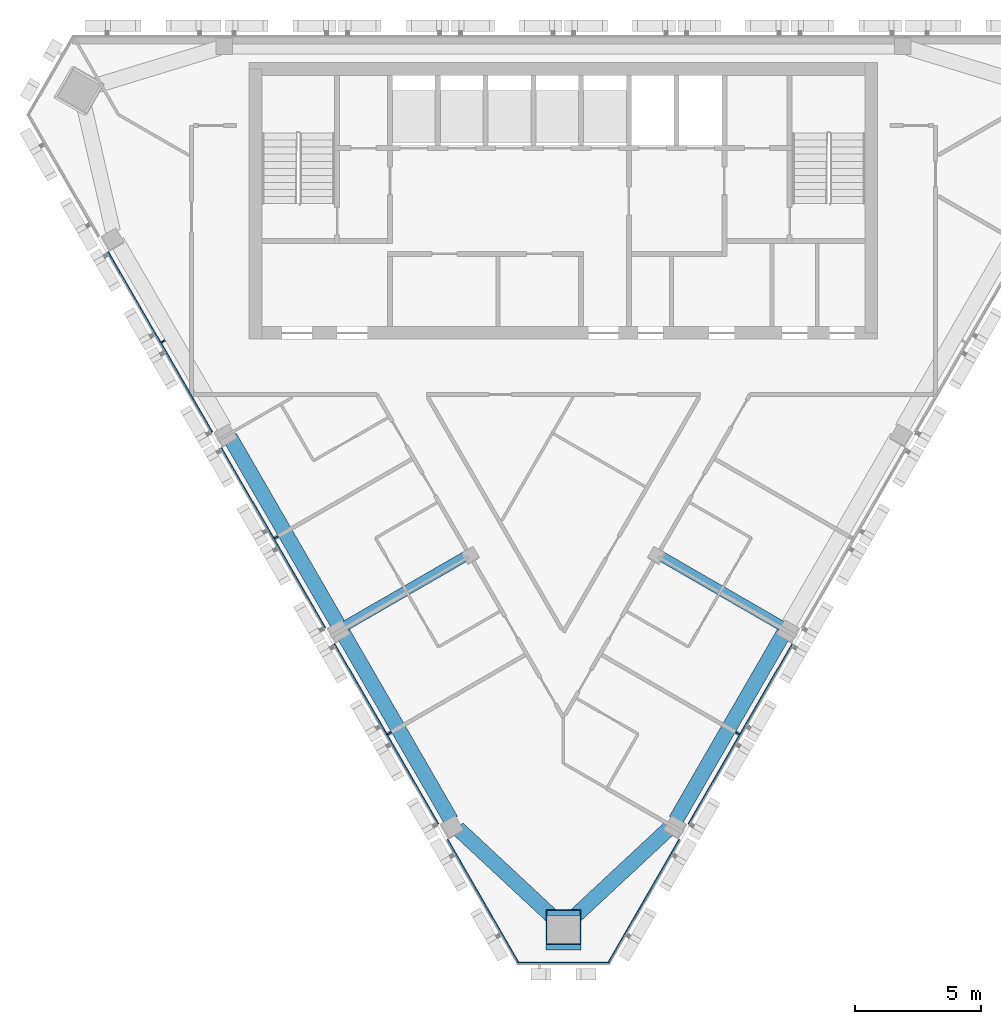
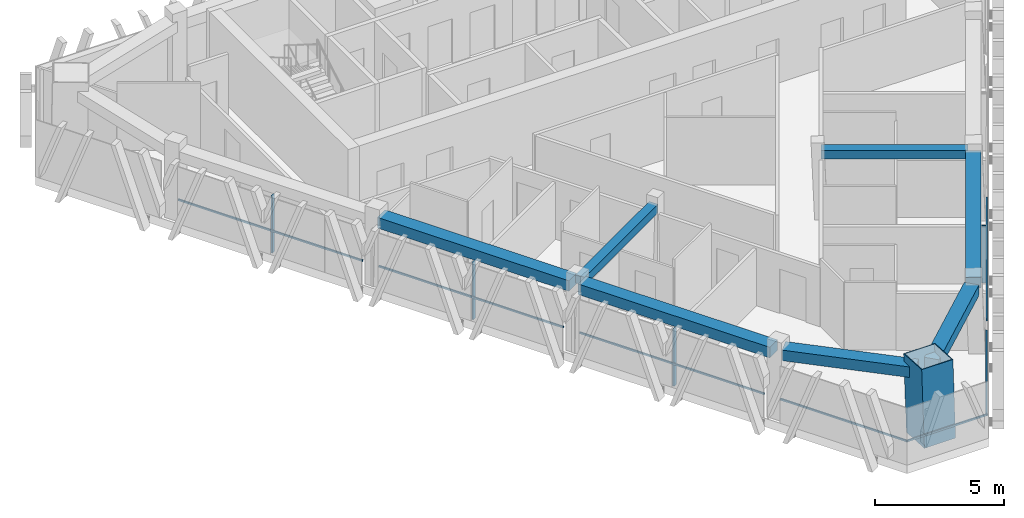
# One storey, part 2 of 12: 12 members, 7 beams, 3 elements without a shape of their own.
"""IFC4 building model written with IfcOpenShell, lengths in metres."""

from ifc_helpers import new_model, si_unit, direction, frame, origin, origin_2d, place, context, subcontext, project, spatial, rectangle, hollow_rectangle, extrude, material, layer, layer_set, material_profile, profile_set, type_object, element, aggregate, save


model = new_model("IFC4")

# Units and contexts
model_context = context("Model", 3, precision=1e-05, world=origin(), true_north=direction((0.0, 1.0)))
body_context = subcontext(model_context, "Body", "Model", "MODEL_VIEW")
ifc_project = project(units=[si_unit("LENGTHUNIT", "METRE"), si_unit("AREAUNIT", "SQUARE_METRE"), si_unit("VOLUMEUNIT", "CUBIC_METRE"), si_unit("PLANEANGLEUNIT", "RADIAN"), si_unit("MASSUNIT", "GRAM", prefix="KILO")], contexts=[model_context])

# Site, building, storey
site_placement = place(None, origin())
site = spatial("IfcSite", under=ifc_project, at=site_placement, CompositionType="ELEMENT")
building_placement = place(site_placement, origin())
building = spatial("IfcBuilding", under=site, at=building_placement, Name="Altiplano Prism Tower", CompositionType="ELEMENT")
storey_placement = place(building_placement, frame((0.0, 0.0, 323.800048828125)))
storey = spatial("IfcBuildingStorey", under=building, at=storey_placement, Name="L84", CompositionType="ELEMENT", Elevation=323.800048828125)

# Curtain wall, members
ifc_material_1 = material(Name="Aluminium and glass", Category="aluminium")
ifc_layer = layer(ifc_material_1, 0.280029296875)
ifc_layer_set = layer_set([ifc_layer], Name="Aluminium and glass")
curtain_wall_type = type_object("IfcCurtainWallType", Name="CW1 typical co-living unitised curtain wall", PredefinedType="NOTDEFINED", material=ifc_layer_set)
curtain_wall_1_placement = place(storey_placement, origin())
curtain_wall_1 = element("IfcCurtainWall", 1, at=curtain_wall_1_placement, inside=storey, type_object=curtain_wall_type, Name="CW1 curtain wall south-west face L84", PredefinedType="NOTDEFINED")
ifc_material_2 = material(Name="Aluminium", Category="aluminium")
ifc_material_profile_1 = material_profile(ifc_material_2, rectangle(XDim=0.179931640625, YDim=0.06494140625, at=origin_2d()), Name="CW1 mullion 65 x 180")
ifc_profile_set_1 = profile_set([ifc_material_profile_1], Name="Aluminium")
member_type_1 = type_object("IfcMemberType", Name="CW1 mullion 65 x 180", PredefinedType="MULLION", material=ifc_profile_set_1)
member_1_placement = place(storey_placement, frame((69.07275390625, 92.8115234375, 0.0), z_axis=(0.0, 0.0, 1.0), x_axis=(0.866025408785, 0.499999991339, 0.0)))
member_1 = element("IfcMember", 2, at=member_1_placement, type_object=member_type_1, Name="CW1 mullion", PredefinedType="MULLION", context=body_context, shape_type="SweptSolid", body=[
    extrude(rectangle(XDim=0.179931640625, YDim=0.06494140625, at=origin_2d()), origin(), (0.0, 0.0, 1.0), 2.699951171875),
])
member_2_placement = place(storey_placement, frame((73.57275390625, 85.017333984375, 0.0), z_axis=(0.0, 0.0, 1.0), x_axis=(0.866025408785, 0.499999991339, 0.0)))
member_2 = element("IfcMember", 3, at=member_2_placement, type_object=member_type_1, Name="CW1 mullion", PredefinedType="MULLION", context=body_context, shape_type="SweptSolid", body=[
    extrude(rectangle(XDim=0.179931640625, YDim=0.06494140625, at=origin_2d()), origin(), (0.0, 0.0, 1.0), 2.699951171875),
])
member_3_placement = place(storey_placement, frame((78.07275390625, 77.22314453125, 0.0), z_axis=(0.0, 0.0, 1.0), x_axis=(0.866025408785, 0.499999991339, 0.0)))
member_3 = element("IfcMember", 4, at=member_3_placement, type_object=member_type_1, Name="CW1 mullion", PredefinedType="MULLION", context=body_context, shape_type="SweptSolid", body=[
    extrude(rectangle(XDim=0.179931640625, YDim=0.06494140625, at=origin_2d()), origin(), (0.0, 0.0, 1.0), 2.699951171875),
])

# Curtain wall, member
curtain_wall_2_placement = place(storey_placement, origin())
curtain_wall_2 = element("IfcCurtainWall", 5, at=curtain_wall_2_placement, inside=storey, type_object=curtain_wall_type, Name="CW1 curtain wall south-east face L84", PredefinedType="NOTDEFINED")
member_4_placement = place(storey_placement, frame((91.92724609375, 77.22314453125, 0.0), z_axis=(0.0, 0.0, 1.0), x_axis=(-0.866025408785, 0.499999991339, 0.0)))
member_4 = element("IfcMember", 6, at=member_4_placement, type_object=member_type_1, Name="CW1 mullion", PredefinedType="MULLION", context=body_context, shape_type="SweptSolid", body=[
    extrude(rectangle(XDim=0.179931640625, YDim=0.06494140625, at=origin_2d()), origin(), (0.0, 0.0, 1.0), 2.699951171875),
])

# Member
ifc_material_profile_2 = material_profile(ifc_material_2, rectangle(XDim=0.06005859375, YDim=0.080078125, at=origin_2d()), Name="CW1 transom 80 x 60")
ifc_profile_set_2 = profile_set([ifc_material_profile_2], Name="Aluminium")
member_type_2 = type_object("IfcMemberType", Name="CW1 transom 80 x 60", PredefinedType="USERDEFINED", material=ifc_profile_set_2)
member_5_placement = place(storey_placement, frame((66.881591796875, 96.36669921875, 1.099853515625), z_axis=(0.50000951748, -0.866019908795, 0.0), x_axis=(0.866019908795, 0.50000951748, 0.0)))
member_5 = element("IfcMember", 7, at=member_5_placement, type_object=member_type_2, Name="CW1 transom", ObjectType="TRANSOM", PredefinedType="USERDEFINED", context=body_context, shape_type="SweptSolid", body=[
    extrude(rectangle(XDim=0.06005859375, YDim=0.080078125, at=origin_2d()), origin(), (0.0, 0.0, 1.0), 8.269775390625),
])

member_6_placement = place(storey_placement, frame((71.381591796875, 88.572509765625, 1.099853515625), z_axis=(0.50000951748, -0.866019908795, 0.0), x_axis=(0.866019908795, 0.50000951748, 0.0)))
member_6 = element("IfcMember", 8, at=member_6_placement, type_object=member_type_2, Name="CW1 transom", ObjectType="TRANSOM", PredefinedType="USERDEFINED", context=body_context, shape_type="SweptSolid", body=[
    extrude(rectangle(XDim=0.06005859375, YDim=0.080078125, at=origin_2d()), origin(), (0.0, 0.0, 1.0), 8.269775390625),
])

member_7_placement = place(storey_placement, frame((75.881591796875, 80.7783203125, 1.099853515625), z_axis=(0.50000951748, -0.866019908795, 0.0), x_axis=(0.866019908795, 0.50000951748, 0.0)))
member_7 = element("IfcMember", 9, at=member_7_placement, type_object=member_type_2, Name="CW1 transom", ObjectType="TRANSOM", PredefinedType="USERDEFINED", context=body_context, shape_type="SweptSolid", body=[
    extrude(rectangle(XDim=0.06005859375, YDim=0.080078125, at=origin_2d()), origin(), (0.0, 0.0, 1.0), 8.269775390625),
])

member_8_placement = place(storey_placement, frame((80.381591796875, 72.984130859375, 1.099853515625), z_axis=(0.499983049987, -0.866035189658, 0.0), x_axis=(0.866035189658, 0.499983049987, 0.0)))
member_8 = element("IfcMember", 10, at=member_8_placement, type_object=member_type_2, Name="CW1 transom", ObjectType="TRANSOM", PredefinedType="USERDEFINED", context=body_context, shape_type="SweptSolid", body=[
    extrude(rectangle(XDim=0.06005859375, YDim=0.080078125, at=origin_2d()), origin(), (0.0, 0.0, 1.0), 5.703857421875),
])

aggregate(curtain_wall_1, [member_1, member_5, member_2, member_6, member_3, member_7, member_8])

# Curtain wall, member
curtain_wall_3_placement = place(storey_placement, origin())
curtain_wall_3 = element("IfcCurtainWall", 11, at=curtain_wall_3_placement, inside=storey, type_object=curtain_wall_type, Name="CW1 curtain wall south chamfer L84", PredefinedType="NOTDEFINED")
member_9_placement = place(storey_placement, frame((83.1728515625, 68.079345703125, 1.099853515625), z_axis=(1.0, 0.0, 0.0), x_axis=(0.0, 1.0, 0.0)))
member_9 = element("IfcMember", 12, at=member_9_placement, type_object=member_type_2, Name="CW1 transom", ObjectType="TRANSOM", PredefinedType="USERDEFINED", context=body_context, shape_type="SweptSolid", body=[
    extrude(rectangle(XDim=0.06005859375, YDim=0.080078125, at=origin_2d()), origin(), (0.0, 0.0, 1.0), 3.654296875),
])
aggregate(curtain_wall_3, [member_9])

# Member
member_10_placement = place(storey_placement, frame((86.7666015625, 68.04443359375, 1.099853515625), z_axis=(0.499983049987, 0.866035189658, 0.0), x_axis=(-0.866035189658, 0.499983049987, 0.0)))
member_10 = element("IfcMember", 13, at=member_10_placement, type_object=member_type_2, Name="CW1 transom", ObjectType="TRANSOM", PredefinedType="USERDEFINED", context=body_context, shape_type="SweptSolid", body=[
    extrude(rectangle(XDim=0.06005859375, YDim=0.080078125, at=origin_2d()), origin(), (0.0, 0.0, 1.0), 5.703857421875),
])

member_11_placement = place(storey_placement, frame((89.9833984375, 73.616455078125, 1.099853515625), z_axis=(0.50000951748, 0.866019908795, 0.0), x_axis=(-0.866019908795, 0.50000951748, 0.0)))
member_11 = element("IfcMember", 14, at=member_11_placement, type_object=member_type_2, Name="CW1 transom", ObjectType="TRANSOM", PredefinedType="USERDEFINED", context=body_context, shape_type="SweptSolid", body=[
    extrude(rectangle(XDim=0.06005859375, YDim=0.080078125, at=origin_2d()), origin(), (0.0, 0.0, 1.0), 8.269775390625),
])

aggregate(curtain_wall_2, [member_10, member_4, member_11])

# Beams
ifc_material_3 = material(Name="Concrete C60/75", Category="concrete")
ifc_material_profile_3 = material_profile(ifc_material_3, rectangle(XDim=0.60009765625, YDim=0.5, at=origin_2d()), Name="Edge beam 600x500")
ifc_profile_set_3 = profile_set([ifc_material_profile_3], Name="Concrete C60/75")
beam_type_1 = type_object("IfcBeamType", Name="Edge beam 600x500", PredefinedType="SPANDREL", material=ifc_profile_set_3)
for number, where, z_axis, x_axis, name in (
    (15, (71.73046875, 89.00537109375, 2.949951171875), (0.500002926724, -0.866023714033, 0.0), (0.866023714033, 0.500002926724, 0.0), "Edge beam P12-P13 L85"),
    (16, (76.23046875, 81.211181640625, 2.949951171875), (0.500002926724, -0.866023714033, 0.0), (0.866023714033, 0.500002926724, 0.0), "Edge beam P13-P14 L85"),
):
    element("IfcBeam", number, at=place(storey_placement, frame(where, z_axis=z_axis, x_axis=x_axis)), inside=storey, type_object=beam_type_1, Name=name, PredefinedType="SPANDREL", context=body_context, shape_type="SweptSolid", body=[
        extrude(rectangle(XDim=0.60009765625, YDim=0.5, at=origin_2d()), origin(), (0.0, 0.0, 1.0), 8.58984375),
    ])
for number, where, z_axis, x_axis, name in (
    (17, (80.788818359375, 73.444580078125, 2.949951171875), (0.731558415078, -0.681778765678, 0.0), (0.681778765678, 0.731558415078, 0.0), "Edge beam P14-M1 L85"),
    (18, (85.3291015625, 69.82666015625, 2.949951171875), (0.731558415078, 0.681778765678, 0.0), (-0.681778765678, 0.731558415078, 0.0), "Edge beam M1-P21 L85"),
):
    element("IfcBeam", number, at=place(storey_placement, frame(where, z_axis=z_axis, x_axis=x_axis)), inside=storey, type_object=beam_type_1, Name=name, PredefinedType="SPANDREL", context=body_context, shape_type="SweptSolid", body=[
        extrude(rectangle(XDim=0.60009765625, YDim=0.5, at=origin_2d()), origin(), (0.0, 0.0, 1.0), 5.306640625),
    ])
beam_placement = place(storey_placement, frame((89.474609375, 73.772216796875, 2.949951171875), z_axis=(0.500002926724, 0.866023714033, 0.0), x_axis=(-0.866023714033, 0.500002926724, 0.0)))
element("IfcBeam", 19, at=beam_placement, inside=storey, type_object=beam_type_1, Name="Edge beam P21-P22 L85", PredefinedType="SPANDREL", context=body_context, shape_type="SweptSolid", body=[
    extrude(rectangle(XDim=0.60009765625, YDim=0.5, at=origin_2d()), origin(), (0.0, 0.0, 1.0), 8.58984375),
])

# Member
ifc_material_4 = material(Name="Steel S460", Category="steel")
ifc_material_profile_4 = material_profile(ifc_material_4, hollow_rectangle(XDim=1.39990234375, YDim=1.39990234375, WallThickness=0.0400390625, at=origin_2d()), Name="Mega column tube 1400")
ifc_profile_set_4 = profile_set([ifc_material_profile_4], Name="Steel S460")
member_type_3 = type_object("IfcMemberType", Name="Mega column tube 1400", PredefinedType="POST", material=ifc_profile_set_4)
member_12_placement = place(storey_placement, frame((85.0, 69.309326171875, 0.0), z_axis=(0.0, 0.058360852261, 0.998295552892), x_axis=(-1.0, 0.0, 0.0)))
element("IfcMember", 20, at=member_12_placement, inside=storey, type_object=member_type_3, Name="Mega column tube M1 L84", PredefinedType="POST", context=body_context, shape_type="SweptSolid", body=[
    extrude(hollow_rectangle(XDim=1.39990234375, YDim=1.39990234375, WallThickness=0.0400390625, at=origin_2d()), origin(), (0.0, 0.0, 1.0), 3.60595703125),
])

# Beams
ifc_material_profile_5 = material_profile(ifc_material_3, rectangle(XDim=0.39990234375, YDim=0.39990234375, at=origin_2d()), Name="Tie beam 400x400")
ifc_profile_set_5 = profile_set([ifc_material_profile_5], Name="Concrete C60/75")
beam_type_2 = type_object("IfcBeamType", Name="Tie beam 400x400", PredefinedType="BEAM", material=ifc_profile_set_5)
for number, where, z_axis, x_axis, name in (
    (21, (81.254638671875, 84.348876953125, 3.0), (-0.866007731267, -0.500030608449, 0.0), (0.500030608449, -0.866007731267, 0.0), "Tie beam I13 L85"),
    (22, (88.745361328125, 84.348876953125, 3.0), (0.866007731267, -0.500030608449, 0.0), (0.500030608449, 0.866007731267, 0.0), "Tie beam I22 L85"),
):
    element("IfcBeam", number, at=place(storey_placement, frame(where, z_axis=z_axis, x_axis=x_axis)), inside=storey, type_object=beam_type_2, Name=name, PredefinedType="BEAM", context=body_context, shape_type="SweptSolid", body=[
        extrude(rectangle(XDim=0.39990234375, YDim=0.39990234375, at=origin_2d()), origin(), (0.0, 0.0, 1.0), 5.715087890625),
    ])

save(model, "model.ifc")
